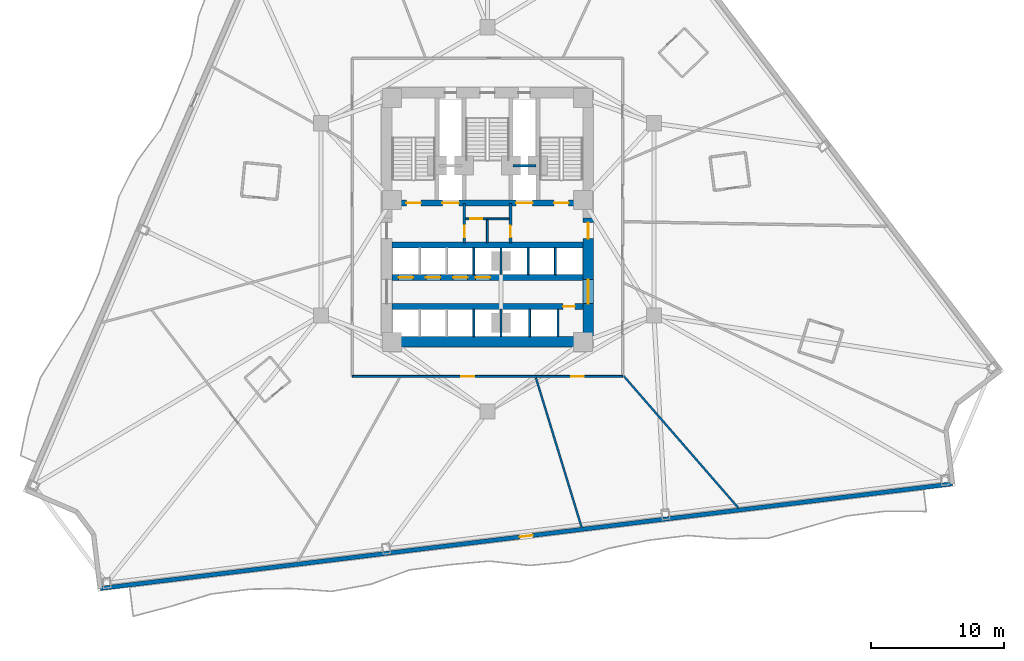
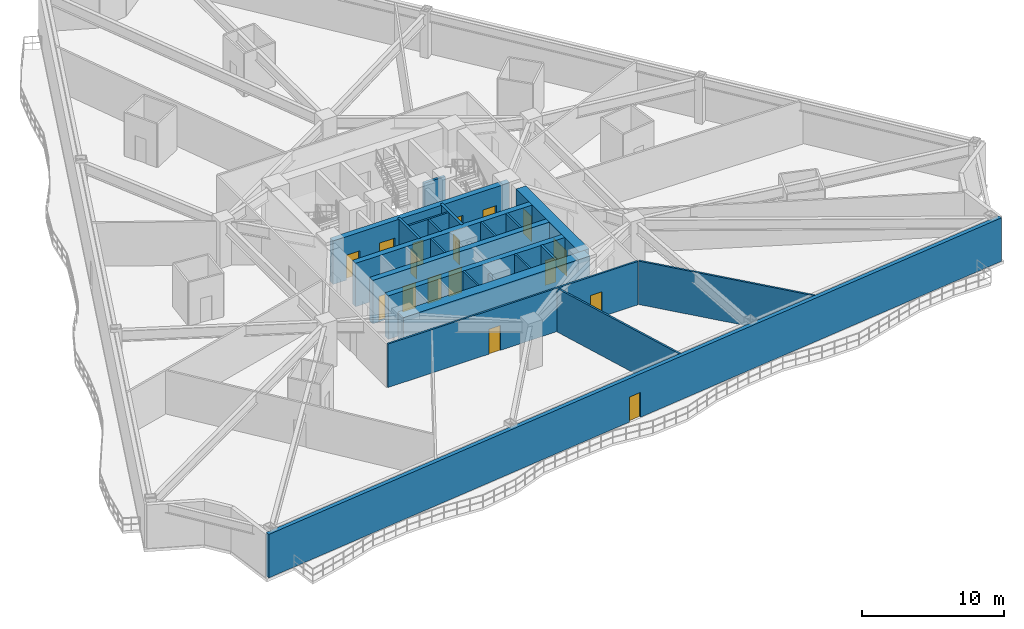
# One storey, part 4 of 12: 23 walls, 17 doors, 17 openings.
"""IFC4 building model written with IfcOpenShell, lengths in metres."""

from ifc_helpers import new_model, si_unit, direction, frame, frame_2d, origin, place, context, subcontext, project, spatial, rectangle, extrude, material, layer, layer_set, type_object, element, fill, save


model = new_model("IFC4")

# Units and contexts
model_context = context("Model", 3, precision=1e-05, world=origin(), true_north=direction((0.0, 1.0)))
body_context = subcontext(model_context, "Body", "Model", "MODEL_VIEW")
ifc_project = project(units=[si_unit("LENGTHUNIT", "METRE"), si_unit("AREAUNIT", "SQUARE_METRE"), si_unit("VOLUMEUNIT", "CUBIC_METRE"), si_unit("PLANEANGLEUNIT", "RADIAN"), si_unit("MASSUNIT", "GRAM", prefix="KILO")], contexts=[model_context])

# Site, building, storey
site_placement = place(None, origin())
site = spatial("IfcSite", under=ifc_project, at=site_placement, CompositionType="ELEMENT")
building_placement = place(site_placement, origin())
building = spatial("IfcBuilding", under=site, at=building_placement, Name="Apsidion Concourse Tower", CompositionType="ELEMENT")
storey_placement = place(building_placement, frame((0.0, 0.0, 71.0)))
storey = spatial("IfcBuildingStorey", under=building, at=storey_placement, Name="L15", CompositionType="ELEMENT", Elevation=71.0)

# Wall, opening, door
ifc_material_1 = material(Name="Precast concrete C40/50", Category="concrete")
ifc_layer_1 = layer(ifc_material_1, 0.320068359375)
ifc_layer_set_1 = layer_set([ifc_layer_1], Name="Precast concrete C40/50")
wall_type_1 = type_object("IfcWallType", Name="WL-EXT-320", PredefinedType="STANDARD", material=ifc_layer_set_1)
wall_1_placement = place(storey_placement, frame((35.0908203125, -19.961181640625, 0.0), z_axis=(0.0, 0.0, 1.0), x_axis=(-0.992546286146, -0.121868247946, 0.0)))
wall_1 = element("IfcWall", 1, at=wall_1_placement, inside=storey, type_object=wall_type_1, Name="L15 Precast Stone Facade Wall 05", PredefinedType="STANDARD", context=body_context, shape_type="SweptSolid", body=[
    extrude(rectangle(XDim=64.793212890625, YDim=0.320068359375, at=frame_2d((32.396484375, 0.0))), origin(), (0.0, 0.0, 1.0), 3.75),
])
opening_1_placement = place(wall_1_placement, frame((31.896728515625, 0.0, 0.0)))
opening_1 = element("IfcOpeningElement", 2, at=opening_1_placement, cuts=wall_1, Name="Opening D-T1L", PredefinedType="OPENING", context=body_context, shape_type="SweptSolid", body=[
    extrude(rectangle(XDim=1.0, YDim=2.14990234375, at=frame_2d((0.5, 1.074951171875))), frame((0.0, 0.169921875, 0.0), z_axis=(0.0, -1.0, 0.0), x_axis=(1.0, 0.0, 0.0)), (0.0, 0.0, 1.0), 0.340087890625),
])
ifc_material_2 = material(Name="Anodised aluminium EN AW-6063 T6", Category="aluminium")
door_type_1 = type_object("IfcDoorType", Name="DR-TER-1022L", OperationType="SINGLE_SWING_LEFT", PredefinedType="DOOR", material=ifc_material_2)
door_1_placement = place(opening_1_placement, origin())
door_1 = element("IfcDoor", 3, at=door_1_placement, inside=storey, type_object=door_type_1, Name="L15 Balcony Access Door 2", OperationType="SINGLE_SWING_LEFT", OverallHeight=2.14990234375, OverallWidth=1.0, PredefinedType="DOOR", context=body_context, shape_type="SweptSolid", body=[
    extrude(rectangle(XDim=1.0, YDim=2.14990234375, at=frame_2d((0.5, 1.074951171875))), frame((0.0, 0.02490234375, 0.0), z_axis=(0.0, -1.0, 0.0), x_axis=(1.0, 0.0, 0.0)), (0.0, 0.0, 1.0), 0.050048828125),
])
fill(opening_1, door_1)

# Walls
ifc_material_3 = material(Name="Gypsum plasterboard partition")
ifc_layer_2 = layer(ifc_material_3, 0.14990234375)
ifc_layer_set_2 = layer_set([ifc_layer_2], Name="Gypsum plasterboard partition")
wall_type_2 = type_object("IfcWallType", Name="WL-INT-PAR-150", PredefinedType="PARTITIONING", material=ifc_layer_set_2)
for number, where, z_axis, x_axis, name in (
    (4, (-1.02490234375, -4.179931640625, 0.0), (0.0, 0.0, 1.0), (0.0, 1.0, 0.0), "L15 Interior Partition WL-L15-B1DIV-3"),
    (5, (3.074951171875, -4.179931640625, 0.0), (0.0, 0.0, 1.0), (0.0, 1.0, 0.0), "L15 Interior Partition WL-L15-B3DIV-1"),
    (6, (5.125, -4.179931640625, 0.0), (0.0, 0.0, 1.0), (0.0, 1.0, 0.0), "L15 Interior Partition WL-L15-B3DIV-2"),
):
    element("IfcWall", number, at=place(storey_placement, frame(where, z_axis=z_axis, x_axis=x_axis)), inside=storey, type_object=wall_type_2, Name=name, PredefinedType="PARTITIONING", context=body_context, shape_type="SweptSolid", body=[
        extrude(rectangle(XDim=2.030029296875, YDim=0.14990234375, at=frame_2d((1.01513671875, 0.0))), origin(), (0.0, 0.0, 1.0), 3.75),
    ])
for number, where, z_axis, x_axis, name in (
    (7, (-1.02490234375, -8.85009765625, 0.0), (0.0, 0.0, 1.0), (0.0, 1.0, 0.0), "L15 Interior Partition WL-L15-B2DIV-3"),
    (8, (3.175048828125, -8.85009765625, 0.0), (0.0, 0.0, 1.0), (0.0, 1.0, 0.0), "L15 Interior Partition WL-L15-SHDIV-1"),
):
    element("IfcWall", number, at=place(storey_placement, frame(where, z_axis=z_axis, x_axis=x_axis)), inside=storey, type_object=wall_type_2, Name=name, PredefinedType="PARTITIONING", context=body_context, shape_type="SweptSolid", body=[
        extrude(rectangle(XDim=2.080078125, YDim=0.14990234375, at=frame_2d((1.0400390625, 0.0))), origin(), (0.0, 0.0, 1.0), 3.75),
    ])

# Wall, opening, door
wall_2_placement = place(storey_placement, frame((-1.639892578125, 0.0400390625, 0.0), z_axis=(0.0, 0.0, 1.0), x_axis=(1.0, 0.0, 0.0)))
wall_2 = element("IfcWall", 9, at=wall_2_placement, inside=storey, type_object=wall_type_2, Name="L15 Interior Partition WL-L15-K4H", PredefinedType="PARTITIONING", context=body_context, shape_type="SweptSolid", body=[
    extrude(rectangle(XDim=3.27978515625, YDim=0.14990234375, at=frame_2d((1.639892578125, 0.0))), origin(), (0.0, 0.0, 1.0), 3.75),
])
opening_2_placement = place(wall_2_placement, frame((0.360107421875, 0.0, 0.0)))
opening_2 = element("IfcOpeningElement", 10, at=opening_2_placement, cuts=wall_2, Name="Opening D-03L", PredefinedType="OPENING", context=body_context, shape_type="SweptSolid", body=[
    extrude(rectangle(XDim=0.8798828125, YDim=2.10009765625, at=frame_2d((0.43994140625, 1.050048828125))), frame((0.0, 0.0849609375, 0.0), z_axis=(0.0, -1.0, 0.0), x_axis=(1.0, 0.0, 0.0)), (0.0, 0.0, 1.0), 0.169921875),
])
door_type_2 = type_object("IfcDoorType", Name="DR-INT-D03L", OperationType="SINGLE_SWING_LEFT", PredefinedType="DOOR", material=ifc_material_2)
door_2_placement = place(opening_2_placement, origin())
door_2 = element("IfcDoor", 11, at=door_2_placement, inside=storey, type_object=door_type_2, Name="L15 Core Telecoms Door", OperationType="SINGLE_SWING_LEFT", OverallHeight=2.10009765625, OverallWidth=0.8798828125, PredefinedType="DOOR", context=body_context, shape_type="SweptSolid", body=[
    extrude(rectangle(XDim=0.8798828125, YDim=2.10009765625, at=frame_2d((0.43994140625, 1.050048828125))), frame((0.0, 0.02490234375, 0.0), z_axis=(0.0, -1.0, 0.0), x_axis=(1.0, 0.0, 0.0)), (0.0, 0.0, 1.0), 0.050048828125),
])
fill(opening_2, door_2)

# Wall
wall_3_placement = place(storey_placement, frame((0.0, -1.780029296875, 0.0), z_axis=(0.0, 0.0, 1.0), x_axis=(0.0, 1.0, 0.0)))
element("IfcWall", 12, at=wall_3_placement, inside=storey, type_object=wall_type_2, Name="L15 Interior Partition WL-L15-K4V", PredefinedType="PARTITIONING", context=body_context, shape_type="SweptSolid", body=[
    extrude(rectangle(XDim=1.72998046875, YDim=0.14990234375, at=frame_2d((0.864990234375, 0.0))), origin(), (0.0, 0.0, 1.0), 3.75),
])

# Wall, openings, doors
wall_4_placement = place(storey_placement, frame((10.199951171875, -11.85009765625, 0.0), z_axis=(0.0, 0.0, 1.0), x_axis=(-1.0, 0.0, 0.0)))
wall_4 = element("IfcWall", 13, at=wall_4_placement, inside=storey, type_object=wall_type_2, Name="L15 Interior Partition WL-L15-CORR-03", PredefinedType="PARTITIONING", context=body_context, shape_type="SweptSolid", body=[
    extrude(rectangle(XDim=20.39990234375, YDim=0.14990234375, at=frame_2d((10.199951171875, 0.0))), origin(), (0.0, 0.0, 1.0), 3.75),
])
opening_3_placement = place(wall_4_placement, frame((11.210205078125, 0.0, 0.0)))
opening_3 = element("IfcOpeningElement", 14, at=opening_3_placement, cuts=wall_4, Name="Opening D-01R", PredefinedType="OPENING", context=body_context, shape_type="SweptSolid", body=[
    extrude(rectangle(XDim=0.949951171875, YDim=2.14990234375, at=frame_2d((0.47509765625, 1.074951171875))), frame((0.0, 0.0849609375, 0.0), z_axis=(0.0, -1.0, 0.0), x_axis=(1.0, 0.0, 0.0)), (0.0, 0.0, 1.0), 0.169921875),
])
opening_4_placement = place(wall_4_placement, frame((2.927734375, 0.0, 0.0)))
opening_4 = element("IfcOpeningElement", 15, at=opening_4_placement, cuts=wall_4, Name="Opening D-01L", PredefinedType="OPENING", context=body_context, shape_type="SweptSolid", body=[
    extrude(rectangle(XDim=0.949951171875, YDim=2.14990234375, at=frame_2d((0.47509765625, 1.074951171875))), frame((0.0, 0.0849609375, 0.0), z_axis=(0.0, -1.0, 0.0), x_axis=(1.0, 0.0, 0.0)), (0.0, 0.0, 1.0), 0.169921875),
])
ifc_material_4 = material(Name="Brushed stainless steel 316", Category="steel")
door_type_3 = type_object("IfcDoorType", Name="DR-INT-D01L", OperationType="SINGLE_SWING_LEFT", PredefinedType="DOOR", material=ifc_material_4)
door_3_placement = place(opening_4_placement, origin())
door_3 = element("IfcDoor", 16, at=door_3_placement, inside=storey, type_object=door_type_3, Name="L15 Corridor Entry Door 03", OperationType="SINGLE_SWING_LEFT", OverallHeight=2.14990234375, OverallWidth=0.949951171875, PredefinedType="DOOR", context=body_context, shape_type="SweptSolid", body=[
    extrude(rectangle(XDim=0.949951171875, YDim=2.14990234375, at=frame_2d((0.47509765625, 1.074951171875))), frame((0.0, 0.02490234375, 0.0), z_axis=(0.0, -1.0, 0.0), x_axis=(1.0, 0.0, 0.0)), (0.0, 0.0, 1.0), 0.050048828125),
])
fill(opening_4, door_3)
door_type_4 = type_object("IfcDoorType", Name="DR-INT-D01R", OperationType="SINGLE_SWING_RIGHT", PredefinedType="DOOR", material=ifc_material_4)
door_4_placement = place(opening_3_placement, origin())
door_4 = element("IfcDoor", 17, at=door_4_placement, inside=storey, type_object=door_type_4, Name="L15 Corridor Entry Door 02", OperationType="SINGLE_SWING_RIGHT", OverallHeight=2.14990234375, OverallWidth=0.949951171875, PredefinedType="DOOR", context=body_context, shape_type="SweptSolid", body=[
    extrude(rectangle(XDim=0.949951171875, YDim=2.14990234375, at=frame_2d((0.47509765625, 1.074951171875))), frame((0.0, 0.02490234375, 0.0), z_axis=(0.0, -1.0, 0.0), x_axis=(1.0, 0.0, 0.0)), (0.0, 0.0, 1.0), 0.050048828125),
])
fill(opening_3, door_4)

# Walls
wall_5_placement = place(storey_placement, frame((3.655029296875, -11.955078125, 0.0), z_axis=(0.0, 0.0, 1.0), x_axis=(0.292374367587, -0.95630394184, 0.0)))
element("IfcWall", 18, at=wall_5_placement, inside=storey, type_object=wall_type_2, Name="L15 Interior Partition WL-L15-RAD-07-1", PredefinedType="PARTITIONING", context=body_context, shape_type="SweptSolid", body=[
    extrude(rectangle(XDim=11.781494140625, YDim=0.14990234375, at=frame_2d((5.890625, 0.0))), origin(), (0.0, 0.0, 1.0), 3.75),
])
wall_6_placement = place(storey_placement, frame((10.301025390625, -11.85009765625, 0.0), z_axis=(0.0, 0.0, 1.0), x_axis=(0.656069720385, -0.754700286202, 0.0)))
element("IfcWall", 19, at=wall_6_placement, inside=storey, type_object=wall_type_2, Name="L15 Interior Partition WL-L15-RAD-08-1", PredefinedType="PARTITIONING", context=body_context, shape_type="SweptSolid", body=[
    extrude(rectangle(XDim=13.143798828125, YDim=0.14990234375, at=frame_2d((6.57177734375, 0.0))), origin(), (0.0, 0.0, 1.0), 3.75),
])
ifc_layer_3 = layer(ifc_material_3, 0.179931640625)
ifc_layer_set_3 = layer_set([ifc_layer_3], Name="Gypsum plasterboard partition")
wall_type_3 = type_object("IfcWallType", Name="WL-INT-PAR-180", PredefinedType="PARTITIONING", material=ifc_layer_set_3)
wall_7_placement = place(storey_placement, frame((1.02490234375, -4.179931640625, 0.0), z_axis=(0.0, 0.0, 1.0), x_axis=(0.0, 1.0, 0.0)))
element("IfcWall", 20, at=wall_7_placement, inside=storey, type_object=wall_type_3, Name="L15 Interior Partition WL-L15-B1END", PredefinedType="PARTITIONING", context=body_context, shape_type="SweptSolid", body=[
    extrude(rectangle(XDim=2.030029296875, YDim=0.179931640625, at=frame_2d((1.01513671875, 0.0))), origin(), (0.0, 0.0, 1.0), 2.798095703125),
])
wall_8_placement = place(storey_placement, frame((1.02490234375, -8.85009765625, 0.0), z_axis=(0.0, 0.0, 1.0), x_axis=(0.0, 1.0, 0.0)))
element("IfcWall", 21, at=wall_8_placement, inside=storey, type_object=wall_type_3, Name="L15 Interior Partition WL-L15-B2END", PredefinedType="PARTITIONING", context=body_context, shape_type="SweptSolid", body=[
    extrude(rectangle(XDim=2.080078125, YDim=0.179931640625, at=frame_2d((1.0400390625, 0.0))), origin(), (0.0, 0.0, 1.0), 2.798095703125),
])
wall_9_placement = place(storey_placement, frame((5.324951171875, -8.85009765625, 0.0), z_axis=(0.0, 0.0, 1.0), x_axis=(0.0, 1.0, 0.0)))
element("IfcWall", 22, at=wall_9_placement, inside=storey, type_object=wall_type_3, Name="L15 Interior Partition WL-L15-SHDIV-2", PredefinedType="PARTITIONING", context=body_context, shape_type="SweptSolid", body=[
    extrude(rectangle(XDim=2.080078125, YDim=0.179931640625, at=frame_2d((1.0400390625, 0.0))), origin(), (0.0, 0.0, 1.0), 3.75),
])
ifc_layer_4 = layer(ifc_material_3, 0.199951171875)
ifc_layer_set_4 = layer_set([ifc_layer_4], Name="Gypsum plasterboard partition")
wall_type_4 = type_object("IfcWallType", Name="WL-INT-PAR-200", PredefinedType="PARTITIONING", material=ifc_layer_set_4)
wall_10_placement = place(storey_placement, frame((1.919921875, 4.050048828125, 0.0), z_axis=(0.0, 0.0, 1.0), x_axis=(1.0, 0.0, 0.0)))
element("IfcWall", 23, at=wall_10_placement, inside=storey, type_object=wall_type_4, Name="L15 Interior Partition WL-L15-FF2-N", PredefinedType="PARTITIONING", context=body_context, shape_type="SweptSolid", body=[
    extrude(rectangle(XDim=1.72998046875, YDim=0.199951171875, at=frame_2d((0.864990234375, 0.0))), origin(), (0.0, 0.0, 1.0), 3.75),
])

# Wall, opening, door
wall_11_placement = place(storey_placement, frame((-1.739990234375, -1.780029296875, 0.0), z_axis=(0.0, 0.0, 1.0), x_axis=(0.0, 1.0, 0.0)))
wall_11 = element("IfcWall", 24, at=wall_11_placement, inside=storey, type_object=wall_type_4, Name="L15 Interior Partition WL-L15-FF1-E", PredefinedType="PARTITIONING", context=body_context, shape_type="SweptSolid", body=[
    extrude(rectangle(XDim=2.97998046875, YDim=0.199951171875, at=frame_2d((1.489990234375, 0.0))), origin(), (0.0, 0.0, 1.0), 3.75),
])
opening_5_placement = place(wall_11_placement, frame((0.419921875, 0.0, 0.0)))
opening_5 = element("IfcOpeningElement", 25, at=opening_5_placement, cuts=wall_11, Name="Opening D-05R", PredefinedType="OPENING", context=body_context, shape_type="SweptSolid", body=[
    extrude(rectangle(XDim=0.8798828125, YDim=2.14990234375, at=frame_2d((0.43994140625, 1.074951171875))), frame((0.0, 0.10986328125, 0.0), z_axis=(0.0, -1.0, 0.0), x_axis=(1.0, 0.0, 0.0)), (0.0, 0.0, 1.0), 0.219970703125),
])
door_type_5 = type_object("IfcDoorType", Name="DR-INT-D05R", OperationType="SINGLE_SWING_RIGHT", PredefinedType="DOOR", material=ifc_material_4)
door_5_placement = place(opening_5_placement, origin())
door_5 = element("IfcDoor", 26, at=door_5_placement, inside=storey, type_object=door_type_5, Name="L15 Core Switch Room Door", OperationType="SINGLE_SWING_RIGHT", OverallHeight=2.14990234375, OverallWidth=0.8798828125, PredefinedType="DOOR", context=body_context, shape_type="SweptSolid", body=[
    extrude(rectangle(XDim=0.8798828125, YDim=2.14990234375, at=frame_2d((0.43994140625, 1.074951171875))), frame((0.0, 0.02490234375, 0.0), z_axis=(0.0, -1.0, 0.0), x_axis=(1.0, 0.0, 0.0)), (0.0, 0.0, 1.0), 0.050048828125),
])
fill(opening_5, door_5)

wall_12_placement = place(storey_placement, frame((1.739990234375, -1.780029296875, 0.0), z_axis=(0.0, 0.0, 1.0), x_axis=(0.0, 1.0, 0.0)))
wall_12 = element("IfcWall", 27, at=wall_12_placement, inside=storey, type_object=wall_type_4, Name="L15 Interior Partition WL-L15-FF2-W", PredefinedType="PARTITIONING", context=body_context, shape_type="SweptSolid", body=[
    extrude(rectangle(XDim=2.97998046875, YDim=0.199951171875, at=frame_2d((1.489990234375, 0.0))), origin(), (0.0, 0.0, 1.0), 3.75),
])
opening_6_placement = place(wall_12_placement, frame((0.419921875, 0.0, 0.0)))
opening_6 = element("IfcOpeningElement", 28, at=opening_6_placement, cuts=wall_12, Name="Opening D-05L", PredefinedType="OPENING", context=body_context, shape_type="SweptSolid", body=[
    extrude(rectangle(XDim=0.8798828125, YDim=2.14990234375, at=frame_2d((0.43994140625, 1.074951171875))), frame((0.0, 0.10986328125, 0.0), z_axis=(0.0, -1.0, 0.0), x_axis=(1.0, 0.0, 0.0)), (0.0, 0.0, 1.0), 0.219970703125),
])
door_type_6 = type_object("IfcDoorType", Name="DR-INT-D05L", OperationType="SINGLE_SWING_LEFT", PredefinedType="DOOR", material=ifc_material_4)
door_6_placement = place(opening_6_placement, origin())
door_6 = element("IfcDoor", 29, at=door_6_placement, inside=storey, type_object=door_type_6, Name="L15 Core First Aid Door", OperationType="SINGLE_SWING_LEFT", OverallHeight=2.14990234375, OverallWidth=0.8798828125, PredefinedType="DOOR", context=body_context, shape_type="SweptSolid", body=[
    extrude(rectangle(XDim=0.8798828125, YDim=2.14990234375, at=frame_2d((0.43994140625, 1.074951171875))), frame((0.0, 0.02490234375, 0.0), z_axis=(0.0, -1.0, 0.0), x_axis=(1.0, 0.0, 0.0)), (0.0, 0.0, 1.0), 0.050048828125),
])
fill(opening_6, door_6)

# Wall, openings, doors
ifc_material_5 = material(Name="Concrete C60/75", Category="concrete")
ifc_layer_5 = layer(ifc_material_5, 0.449951171875)
ifc_layer_set_5 = layer_set([ifc_layer_5], Name="Concrete C60/75")
wall_type_5 = type_object("IfcWallType", Name="WL-SH-450", PredefinedType="SHEAR", material=ifc_layer_set_5)
wall_13_placement = place(storey_placement, frame((-7.199951171875, 1.22509765625, 0.0), z_axis=(0.0, 0.0, 1.0), x_axis=(1.0, 0.0, 0.0)))
wall_13 = element("IfcWall", 30, at=wall_13_placement, inside=storey, type_object=wall_type_5, Name="L15 Central Core Shear Wall M1", PredefinedType="SHEAR", context=body_context, shape_type="SweptSolid", body=[
    extrude(rectangle(XDim=14.39990234375, YDim=0.449951171875, at=frame_2d((7.199951171875, 0.0))), origin(), (0.0, 0.0, 1.0), 3.75),
])
opening_7_placement = place(wall_13_placement, frame((3.794921875, 0.0, 0.0)))
opening_7 = element("IfcOpeningElement", 31, at=opening_7_placement, cuts=wall_13, Name="Opening LD-FF", PredefinedType="OPENING", context=body_context, shape_type="SweptSolid", body=[
    extrude(rectangle(XDim=1.25, YDim=2.25, at=frame_2d((0.625, 1.125))), frame((0.0, 0.23486328125, 0.0), z_axis=(0.0, -1.0, 0.0), x_axis=(1.0, 0.0, 0.0)), (0.0, 0.0, 1.0), 0.469970703125),
])
opening_8_placement = place(wall_13_placement, frame((9.35498046875, 0.0, 0.0)))
opening_8 = element("IfcOpeningElement", 32, at=opening_8_placement, cuts=wall_13, Name="Opening LD-FF", PredefinedType="OPENING", context=body_context, shape_type="SweptSolid", body=[
    extrude(rectangle(XDim=1.25, YDim=2.25, at=frame_2d((0.625, 1.125))), frame((0.0, 0.23486328125, 0.0), z_axis=(0.0, -1.0, 0.0), x_axis=(1.0, 0.0, 0.0)), (0.0, 0.0, 1.0), 0.469970703125),
])
opening_9_placement = place(wall_13_placement, frame((1.074951171875, 0.0, 0.0)))
opening_9 = element("IfcOpeningElement", 33, at=opening_9_placement, cuts=wall_13, Name="Opening D-STL", PredefinedType="OPENING", context=body_context, shape_type="SweptSolid", body=[
    extrude(rectangle(XDim=1.10009765625, YDim=2.14990234375, at=frame_2d((0.550048828125, 1.074951171875))), frame((0.0, 0.23486328125, 0.0), z_axis=(0.0, -1.0, 0.0), x_axis=(1.0, 0.0, 0.0)), (0.0, 0.0, 1.0), 0.469970703125),
])
opening_10_placement = place(wall_13_placement, frame((12.22509765625, 0.0, 0.0)))
opening_10 = element("IfcOpeningElement", 34, at=opening_10_placement, cuts=wall_13, Name="Opening D-STR", PredefinedType="OPENING", context=body_context, shape_type="SweptSolid", body=[
    extrude(rectangle(XDim=1.10009765625, YDim=2.14990234375, at=frame_2d((0.550048828125, 1.074951171875))), frame((0.0, 0.23486328125, 0.0), z_axis=(0.0, -1.0, 0.0), x_axis=(1.0, 0.0, 0.0)), (0.0, 0.0, 1.0), 0.469970703125),
])
door_type_7 = type_object("IfcDoorType", Name="DR-INT-ST1L", OperationType="SINGLE_SWING_LEFT", PredefinedType="DOOR", material=ifc_material_4)
door_7_placement = place(opening_9_placement, origin())
door_7 = element("IfcDoor", 35, at=door_7_placement, inside=storey, type_object=door_type_7, Name="L15 Core Exit Stair ST1 Door", OperationType="SINGLE_SWING_LEFT", OverallHeight=2.14990234375, OverallWidth=1.10009765625, PredefinedType="DOOR", context=body_context, shape_type="SweptSolid", body=[
    extrude(rectangle(XDim=1.10009765625, YDim=2.14990234375, at=frame_2d((0.550048828125, 1.074951171875))), frame((0.0, 0.02490234375, 0.0), z_axis=(0.0, -1.0, 0.0), x_axis=(1.0, 0.0, 0.0)), (0.0, 0.0, 1.0), 0.050048828125),
])
fill(opening_9, door_7)
door_type_8 = type_object("IfcDoorType", Name="DR-INT-ST1R", OperationType="SINGLE_SWING_RIGHT", PredefinedType="DOOR", material=ifc_material_4)
door_8_placement = place(opening_10_placement, origin())
door_8 = element("IfcDoor", 36, at=door_8_placement, inside=storey, type_object=door_type_8, Name="L15 Core Exit Stair ST2 Door", OperationType="SINGLE_SWING_RIGHT", OverallHeight=2.14990234375, OverallWidth=1.10009765625, PredefinedType="DOOR", context=body_context, shape_type="SweptSolid", body=[
    extrude(rectangle(XDim=1.10009765625, YDim=2.14990234375, at=frame_2d((0.550048828125, 1.074951171875))), frame((0.0, 0.02490234375, 0.0), z_axis=(0.0, -1.0, 0.0), x_axis=(1.0, 0.0, 0.0)), (0.0, 0.0, 1.0), 0.050048828125),
])
fill(opening_10, door_8)
door_type_9 = type_object("IfcDoorType", Name="DR-LD-FSAE", OperationType="DOUBLE_DOOR_SLIDING", PredefinedType="DOOR", material=ifc_material_4)
door_9_placement = place(opening_7_placement, origin())
door_9 = element("IfcDoor", 37, at=door_9_placement, inside=storey, type_object=door_type_9, Name="L15 Lift Landing Door FF1", OperationType="DOUBLE_DOOR_SLIDING", OverallHeight=2.25, OverallWidth=1.25, PredefinedType="DOOR", context=body_context, shape_type="SweptSolid", body=[
    extrude(rectangle(XDim=1.25, YDim=2.25, at=frame_2d((0.625, 1.125))), frame((0.0, 0.02490234375, 0.0), z_axis=(0.0, -1.0, 0.0), x_axis=(1.0, 0.0, 0.0)), (0.0, 0.0, 1.0), 0.050048828125),
])
fill(opening_7, door_9)
door_10_placement = place(opening_8_placement, origin())
door_10 = element("IfcDoor", 38, at=door_10_placement, inside=storey, type_object=door_type_9, Name="L15 Lift Landing Door FF2", OperationType="DOUBLE_DOOR_SLIDING", OverallHeight=2.25, OverallWidth=1.25, PredefinedType="DOOR", context=body_context, shape_type="SweptSolid", body=[
    extrude(rectangle(XDim=1.25, YDim=2.25, at=frame_2d((0.625, 1.125))), frame((0.0, 0.02490234375, 0.0), z_axis=(0.0, -1.0, 0.0), x_axis=(1.0, 0.0, 0.0)), (0.0, 0.0, 1.0), 0.050048828125),
])
fill(opening_8, door_10)

# Wall
wall_14_placement = place(storey_placement, frame((-7.199951171875, -1.949951171875, 0.0), z_axis=(0.0, 0.0, 1.0), x_axis=(1.0, 0.0, 0.0)))
element("IfcWall", 39, at=wall_14_placement, inside=storey, type_object=wall_type_5, Name="L15 Central Core Shear Wall M2", PredefinedType="SHEAR", context=body_context, shape_type="SweptSolid", body=[
    extrude(rectangle(XDim=14.39990234375, YDim=0.449951171875, at=frame_2d((7.199951171875, 0.0))), origin(), (0.0, 0.0, 1.0), 3.75),
])

# Wall, openings, doors
wall_15_placement = place(storey_placement, frame((-7.199951171875, -4.3798828125, 0.0), z_axis=(0.0, 0.0, 1.0), x_axis=(1.0, 0.0, 0.0)))
wall_15 = element("IfcWall", 40, at=wall_15_placement, inside=storey, type_object=wall_type_5, Name="L15 Central Core Shear Wall LA", PredefinedType="SHEAR", context=body_context, shape_type="SweptSolid", body=[
    extrude(rectangle(XDim=14.39990234375, YDim=0.449951171875, at=frame_2d((7.199951171875, 0.0))), origin(), (0.0, 0.0, 1.0), 3.75),
])
opening_11_placement = place(wall_15_placement, frame((0.5, 0.0, 0.0)))
opening_11 = element("IfcOpeningElement", 41, at=opening_11_placement, cuts=wall_15, Name="Opening LD-P1", PredefinedType="OPENING", context=body_context, shape_type="SweptSolid", body=[
    extrude(rectangle(XDim=1.10009765625, YDim=2.199951171875, at=frame_2d((0.550048828125, 1.10009765625))), frame((0.0, 0.23486328125, 0.0), z_axis=(0.0, -1.0, 0.0), x_axis=(1.0, 0.0, 0.0)), (0.0, 0.0, 1.0), 0.469970703125),
])
opening_12_placement = place(wall_15_placement, frame((2.550048828125, 0.0, 0.0)))
opening_12 = element("IfcOpeningElement", 42, at=opening_12_placement, cuts=wall_15, Name="Opening LD-P1", PredefinedType="OPENING", context=body_context, shape_type="SweptSolid", body=[
    extrude(rectangle(XDim=1.10009765625, YDim=2.199951171875, at=frame_2d((0.550048828125, 1.10009765625))), frame((0.0, 0.23486328125, 0.0), z_axis=(0.0, -1.0, 0.0), x_axis=(1.0, 0.0, 0.0)), (0.0, 0.0, 1.0), 0.469970703125),
])
opening_13_placement = place(wall_15_placement, frame((4.60009765625, 0.0, 0.0)))
opening_13 = element("IfcOpeningElement", 43, at=opening_13_placement, cuts=wall_15, Name="Opening LD-P1", PredefinedType="OPENING", context=body_context, shape_type="SweptSolid", body=[
    extrude(rectangle(XDim=1.10009765625, YDim=2.199951171875, at=frame_2d((0.550048828125, 1.10009765625))), frame((0.0, 0.23486328125, 0.0), z_axis=(0.0, -1.0, 0.0), x_axis=(1.0, 0.0, 0.0)), (0.0, 0.0, 1.0), 0.469970703125),
])
opening_14_placement = place(wall_15_placement, frame((6.300048828125, 0.0, 0.0)))
opening_14 = element("IfcOpeningElement", 44, at=opening_14_placement, cuts=wall_15, Name="Opening LD-P1", PredefinedType="OPENING", context=body_context, shape_type="SweptSolid", body=[
    extrude(rectangle(XDim=1.10009765625, YDim=2.199951171875, at=frame_2d((0.550048828125, 1.10009765625))), frame((0.0, 0.23486328125, 0.0), z_axis=(0.0, -1.0, 0.0), x_axis=(1.0, 0.0, 0.0)), (0.0, 0.0, 1.0), 0.469970703125),
])
door_type_10 = type_object("IfcDoorType", Name="DR-LD-PASS", OperationType="DOUBLE_DOOR_SLIDING", PredefinedType="DOOR", material=ifc_material_4)
door_11_placement = place(opening_11_placement, origin())
door_11 = element("IfcDoor", 45, at=door_11_placement, inside=storey, type_object=door_type_10, Name="L15 Lift Landing Door P1", OperationType="DOUBLE_DOOR_SLIDING", OverallHeight=2.199951171875, OverallWidth=1.10009765625, PredefinedType="DOOR", context=body_context, shape_type="SweptSolid", body=[
    extrude(rectangle(XDim=1.10009765625, YDim=2.199951171875, at=frame_2d((0.550048828125, 1.10009765625))), frame((0.0, 0.02490234375, 0.0), z_axis=(0.0, -1.0, 0.0), x_axis=(1.0, 0.0, 0.0)), (0.0, 0.0, 1.0), 0.050048828125),
])
fill(opening_11, door_11)
door_12_placement = place(opening_12_placement, origin())
door_12 = element("IfcDoor", 46, at=door_12_placement, inside=storey, type_object=door_type_10, Name="L15 Lift Landing Door P2", OperationType="DOUBLE_DOOR_SLIDING", OverallHeight=2.199951171875, OverallWidth=1.10009765625, PredefinedType="DOOR", context=body_context, shape_type="SweptSolid", body=[
    extrude(rectangle(XDim=1.10009765625, YDim=2.199951171875, at=frame_2d((0.550048828125, 1.10009765625))), frame((0.0, 0.02490234375, 0.0), z_axis=(0.0, -1.0, 0.0), x_axis=(1.0, 0.0, 0.0)), (0.0, 0.0, 1.0), 0.050048828125),
])
fill(opening_12, door_12)
door_13_placement = place(opening_13_placement, origin())
door_13 = element("IfcDoor", 47, at=door_13_placement, inside=storey, type_object=door_type_10, Name="L15 Lift Landing Door P3", OperationType="DOUBLE_DOOR_SLIDING", OverallHeight=2.199951171875, OverallWidth=1.10009765625, PredefinedType="DOOR", context=body_context, shape_type="SweptSolid", body=[
    extrude(rectangle(XDim=1.10009765625, YDim=2.199951171875, at=frame_2d((0.550048828125, 1.10009765625))), frame((0.0, 0.02490234375, 0.0), z_axis=(0.0, -1.0, 0.0), x_axis=(1.0, 0.0, 0.0)), (0.0, 0.0, 1.0), 0.050048828125),
])
fill(opening_13, door_13)
door_14_placement = place(opening_14_placement, origin())
door_14 = element("IfcDoor", 48, at=door_14_placement, inside=storey, type_object=door_type_10, Name="L15 Lift Landing Door P4", OperationType="DOUBLE_DOOR_SLIDING", OverallHeight=2.199951171875, OverallWidth=1.10009765625, PredefinedType="DOOR", context=body_context, shape_type="SweptSolid", body=[
    extrude(rectangle(XDim=1.10009765625, YDim=2.199951171875, at=frame_2d((0.550048828125, 1.10009765625))), frame((0.0, 0.02490234375, 0.0), z_axis=(0.0, -1.0, 0.0), x_axis=(1.0, 0.0, 0.0)), (0.0, 0.0, 1.0), 0.050048828125),
])
fill(opening_14, door_14)

# Wall, opening, door
wall_16_placement = place(storey_placement, frame((-7.199951171875, -6.570068359375, 0.0), z_axis=(0.0, 0.0, 1.0), x_axis=(1.0, 0.0, 0.0)))
wall_16 = element("IfcWall", 49, at=wall_16_placement, inside=storey, type_object=wall_type_5, Name="L15 Central Core Shear Wall LB", PredefinedType="SHEAR", context=body_context, shape_type="SweptSolid", body=[
    extrude(rectangle(XDim=14.39990234375, YDim=0.449951171875, at=frame_2d((7.199951171875, 0.0))), origin(), (0.0, 0.0, 1.0), 3.75),
])
opening_15_placement = place(wall_16_placement, frame((12.909912109375, 0.0, 0.0)))
opening_15 = element("IfcOpeningElement", 50, at=opening_15_placement, cuts=wall_16, Name="Opening D-05L", PredefinedType="OPENING", context=body_context, shape_type="SweptSolid", body=[
    extrude(rectangle(XDim=0.8798828125, YDim=2.14990234375, at=frame_2d((0.43994140625, 1.074951171875))), frame((0.0, 0.23486328125, 0.0), z_axis=(0.0, -1.0, 0.0), x_axis=(1.0, 0.0, 0.0)), (0.0, 0.0, 1.0), 0.469970703125),
])
door_15_placement = place(opening_15_placement, origin())
door_15 = element("IfcDoor", 51, at=door_15_placement, inside=storey, type_object=door_type_6, Name="L15 Cleaners Store Door", OperationType="SINGLE_SWING_LEFT", OverallHeight=2.14990234375, OverallWidth=0.8798828125, PredefinedType="DOOR", context=body_context, shape_type="SweptSolid", body=[
    extrude(rectangle(XDim=0.8798828125, YDim=2.14990234375, at=frame_2d((0.43994140625, 1.074951171875))), frame((0.0, 0.02490234375, 0.0), z_axis=(0.0, -1.0, 0.0), x_axis=(1.0, 0.0, 0.0)), (0.0, 0.0, 1.0), 0.050048828125),
])
fill(opening_15, door_15)

# Wall, openings, doors
ifc_layer_6 = layer(ifc_material_5, 0.800048828125)
ifc_layer_set_6 = layer_set([ifc_layer_6], Name="Concrete C60/75")
wall_type_6 = type_object("IfcWallType", Name="WL-SH-800", PredefinedType="SHEAR", material=ifc_layer_set_6)
wall_17_placement = place(storey_placement, frame((7.60009765625, -8.85009765625, 0.0), z_axis=(0.0, 0.0, 1.0), x_axis=(0.0, 1.0, 0.0)))
wall_17 = element("IfcWall", 52, at=wall_17_placement, inside=storey, type_object=wall_type_6, Name="L15 Central Core Shear Wall ES", PredefinedType="SHEAR", context=body_context, shape_type="SweptSolid", body=[
    extrude(rectangle(XDim=8.9501953125, YDim=0.800048828125, at=frame_2d((4.47509765625, 0.0))), origin(), (0.0, 0.0, 1.0), 3.75),
])
opening_16_placement = place(wall_17_placement, frame((2.489990234375, 0.0, 0.0)))
opening_16 = element("IfcOpeningElement", 53, at=opening_16_placement, cuts=wall_17, Name="Opening D-06D", PredefinedType="OPENING", context=body_context, shape_type="SweptSolid", body=[
    extrude(rectangle(XDim=1.800048828125, YDim=2.199951171875, at=frame_2d((0.89990234375, 1.10009765625))), frame((0.0, 0.41015625, 0.0), z_axis=(0.0, -1.0, 0.0), x_axis=(1.0, 0.0, 0.0)), (0.0, 0.0, 1.0), 0.820068359375),
])
opening_17_placement = place(wall_17_placement, frame((7.39990234375, 0.0, 0.0)))
opening_17 = element("IfcOpeningElement", 54, at=opening_17_placement, cuts=wall_17, Name="Opening D-FFR", PredefinedType="OPENING", context=body_context, shape_type="SweptSolid", body=[
    extrude(rectangle(XDim=1.199951171875, YDim=2.14990234375, at=frame_2d((0.60009765625, 1.074951171875))), frame((0.0, 0.41015625, 0.0), z_axis=(0.0, -1.0, 0.0), x_axis=(1.0, 0.0, 0.0)), (0.0, 0.0, 1.0), 0.820068359375),
])
door_type_11 = type_object("IfcDoorType", Name="DR-INT-D06D", OperationType="DOUBLE_DOOR_SINGLE_SWING", PredefinedType="DOOR", material=ifc_material_4)
door_16_placement = place(opening_16_placement, origin())
door_16 = element("IfcDoor", 55, at=door_16_placement, inside=storey, type_object=door_type_11, Name="L15 Passenger Lift Lobby ES Portal Door", OperationType="DOUBLE_DOOR_SINGLE_SWING", OverallHeight=2.199951171875, OverallWidth=1.800048828125, PredefinedType="DOOR", context=body_context, shape_type="SweptSolid", body=[
    extrude(rectangle(XDim=1.800048828125, YDim=2.199951171875, at=frame_2d((0.89990234375, 1.10009765625))), frame((0.0, 0.02490234375, 0.0), z_axis=(0.0, -1.0, 0.0), x_axis=(1.0, 0.0, 0.0)), (0.0, 0.0, 1.0), 0.050048828125),
])
fill(opening_16, door_16)
door_type_12 = type_object("IfcDoorType", Name="DR-INT-FFR", OperationType="SINGLE_SWING_RIGHT", PredefinedType="DOOR", material=ifc_material_4)
door_17_placement = place(opening_17_placement, origin())
door_17 = element("IfcDoor", 56, at=door_17_placement, inside=storey, type_object=door_type_12, Name="L15 Firefighting Lift Lobby FF2 Door", OperationType="SINGLE_SWING_RIGHT", OverallHeight=2.14990234375, OverallWidth=1.199951171875, PredefinedType="DOOR", context=body_context, shape_type="SweptSolid", body=[
    extrude(rectangle(XDim=1.199951171875, YDim=2.14990234375, at=frame_2d((0.60009765625, 1.074951171875))), frame((0.0, 0.02490234375, 0.0), z_axis=(0.0, -1.0, 0.0), x_axis=(1.0, 0.0, 0.0)), (0.0, 0.0, 1.0), 0.050048828125),
])
fill(opening_17, door_17)

# Wall
wall_18_placement = place(storey_placement, frame((-7.60009765625, -9.25, 0.0), z_axis=(0.0, 0.0, 1.0), x_axis=(1.0, 0.0, 0.0)))
element("IfcWall", 57, at=wall_18_placement, inside=storey, type_object=wall_type_6, Name="L15 Central Core Shear Wall S", PredefinedType="SHEAR", context=body_context, shape_type="SweptSolid", body=[
    extrude(rectangle(XDim=15.2001953125, YDim=0.800048828125, at=frame_2d((7.60009765625, 0.0))), origin(), (0.0, 0.0, 1.0), 3.75),
])

save(model, "model.ifc")
